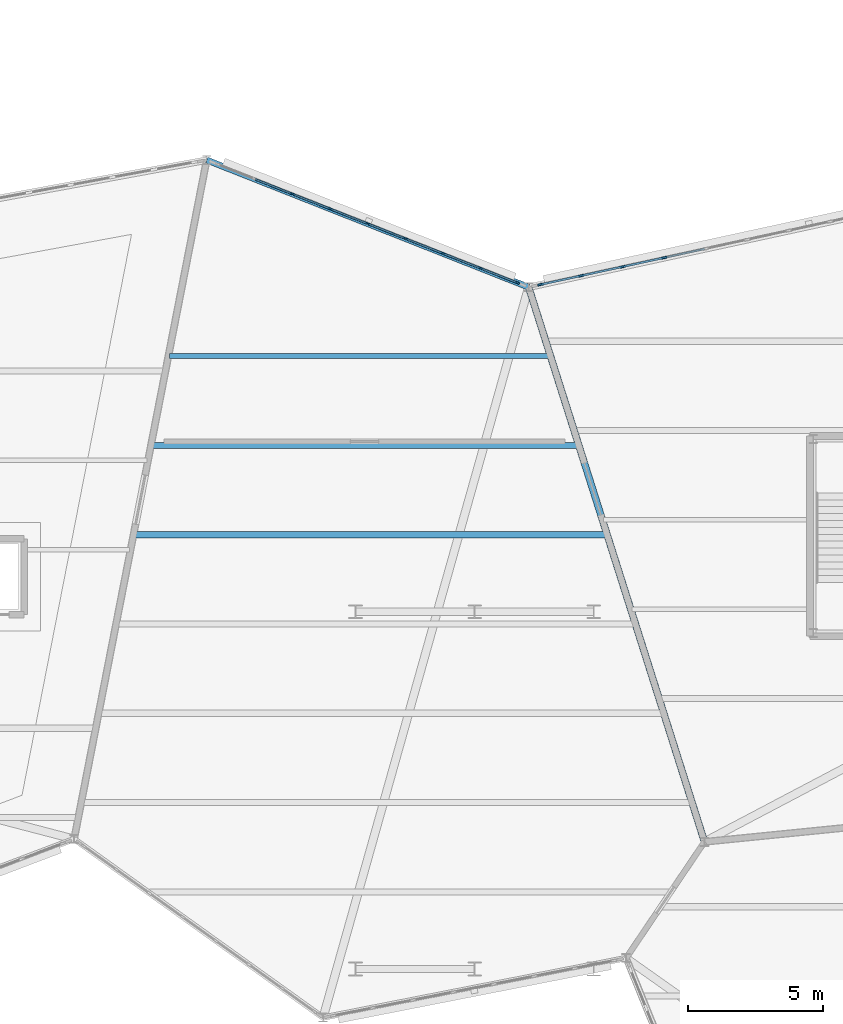
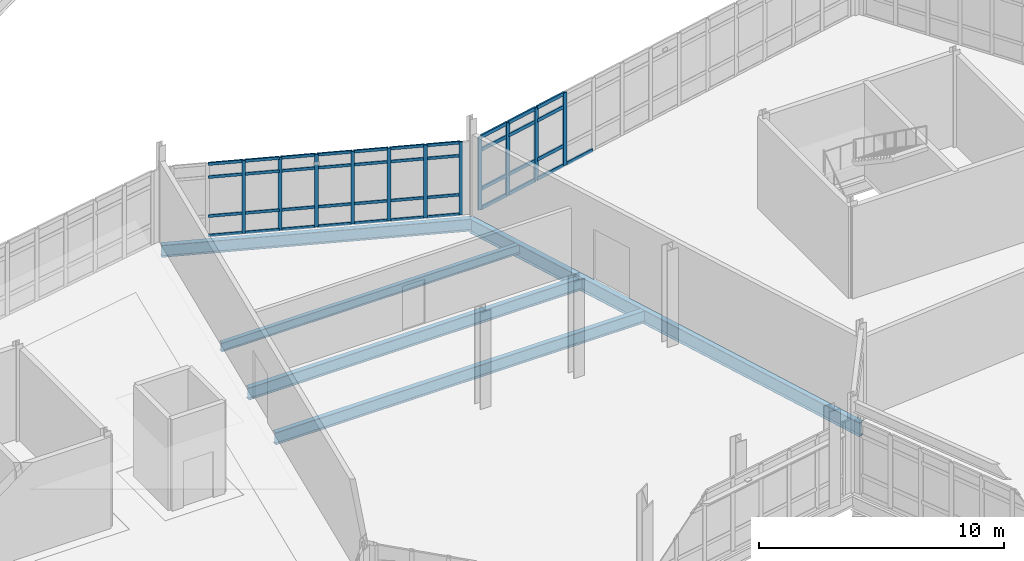
# One storey, part 72 of 134: 52 members, 5 beams, 2 elements without a shape of their own.
"""IFC4 building model written with IfcOpenShell, lengths in metres."""

from ifc_helpers import new_model, si_unit, direction, frame, origin, origin_2d, place, context, subcontext, project, spatial, rectangle, i_section, extrude, material, material_profile, profile_set, type_object, element, aggregate, save


model = new_model("IFC4")

# Units and contexts
model_context = context("Model", 3, precision=1e-05, world=origin(), true_north=direction((0.0, 1.0)))
body_context = subcontext(model_context, "Body", "Model", "MODEL_VIEW")
ifc_project = project(units=[si_unit("LENGTHUNIT", "METRE"), si_unit("AREAUNIT", "SQUARE_METRE"), si_unit("VOLUMEUNIT", "CUBIC_METRE"), si_unit("PLANEANGLEUNIT", "RADIAN"), si_unit("MASSUNIT", "GRAM", prefix="KILO")], contexts=[model_context])

# Site, building, storey
site_placement = place(None, origin())
site = spatial("IfcSite", under=ifc_project, at=site_placement, CompositionType="ELEMENT")
building_placement = place(site_placement, origin())
building = spatial("IfcBuilding", under=site, at=building_placement, Name="Tameran Prism Museum", CompositionType="ELEMENT")
storey_placement = place(building_placement, frame((0.0, 0.0, 5.39990234375)))
storey = spatial("IfcBuildingStorey", under=building, at=storey_placement, Name="L01", CompositionType="ELEMENT", Elevation=5.39990234375)

# Beams
ifc_material_1 = material(Name="Steel Grade 300PLUS (300 MPa)", Category="steel")
ifc_material_profile_1 = material_profile(ifc_material_1, i_section(OverallWidth=0.18994140625, OverallDepth=0.4541015625, WebThickness=0.008544921875, FlangeThickness=0.0126953125, FilletRadius=0.011474609375, at=origin_2d()))
ifc_profile_set_1 = profile_set([ifc_material_profile_1])
beam_type_1 = type_object("IfcBeamType", Name="BM-J460B", PredefinedType="JOIST", material=ifc_profile_set_1)
beam_1_placement = place(storey_placement, frame((124.22509765625, 40.14990234375, -0.427001953125), z_axis=(1.0, 0.0, 0.0), x_axis=(0.0, 1.0, 0.0)))
element("IfcBeam", 1, at=beam_1_placement, inside=storey, type_object=beam_type_1, Name="Floor Beam BM-0576", PredefinedType="JOIST", context=body_context, shape_type="SweptSolid", body=[
    extrude(i_section(OverallWidth=0.18994140625, OverallDepth=0.4541015625, WebThickness=0.008544921875, FlangeThickness=0.0126953125, FilletRadius=0.011474609375, at=origin_2d()), origin(), (0.0, 0.0, 1.0), 14.0419921875),
])
ifc_material_2 = material(Name="Steel Grade 300PLUS (300 MPa)", Category="steel")
ifc_material_profile_2 = material_profile(ifc_material_2, i_section(OverallWidth=0.22802734375, OverallDepth=0.60205078125, WebThickness=0.010498046875, FlangeThickness=0.014892578125, FilletRadius=0.013916015625, at=origin_2d()))
ifc_profile_set_2 = profile_set([ifc_material_profile_2])
beam_type_2 = type_object("IfcBeamType", Name="BM-SP610", PredefinedType="SPANDREL", material=ifc_profile_set_2)
beam_2_placement = place(storey_placement, frame((137.5, 42.699951171875, -0.5009765625), z_axis=(-0.93008523402, 0.36734378647, 0.0), x_axis=(-0.36734378647, -0.93008523402, 0.0)))
element("IfcBeam", 2, at=beam_2_placement, inside=storey, type_object=beam_type_2, Name="Perimeter Spandrel SP-0365", PredefinedType="SPANDREL", context=body_context, shape_type="SweptSolid", body=[
    extrude(i_section(OverallWidth=0.22802734375, OverallDepth=0.60205078125, WebThickness=0.010498046875, FlangeThickness=0.014892578125, FilletRadius=0.013916015625, at=origin_2d()), origin(), (0.0, 0.0, 1.0), 12.79443359375),
])
ifc_material_3 = material(Name="Steel Grade 350 (350 MPa)", Category="steel")
ifc_material_profile_3 = material_profile(ifc_material_3, i_section(OverallWidth=0.25, OverallDepth=0.699951171875, WebThickness=0.010009765625, FlangeThickness=0.02001953125, at=origin_2d()))
ifc_profile_set_3 = profile_set([ifc_material_profile_3])
beam_type_3 = type_object("IfcBeamType", Name="BM-SP700", PredefinedType="SPANDREL", material=ifc_profile_set_3)
beam_3_placement = place(storey_placement, frame((144.0, 22.199951171875, -0.5498046875), z_axis=(-0.302243860734, 0.953230637699, 0.0), x_axis=(-0.953230637699, -0.302243860734, 0.0)))
element("IfcBeam", 3, at=beam_3_placement, inside=storey, type_object=beam_type_3, Name="Perimeter Spandrel SP-0369", PredefinedType="SPANDREL", context=body_context, shape_type="SweptSolid", body=[
    extrude(i_section(OverallWidth=0.25, OverallDepth=0.699951171875, WebThickness=0.010009765625, FlangeThickness=0.02001953125, at=origin_2d()), origin(), (0.0, 0.0, 1.0), 21.505859375),
])
ifc_material_4 = material(Name="Steel Grade 300PLUS (300 MPa)", Category="steel")
ifc_material_profile_4 = material_profile(ifc_material_4, i_section(OverallWidth=0.22802734375, OverallDepth=0.60693359375, WebThickness=0.01123046875, FlangeThickness=0.017333984375, FilletRadius=0.013916015625, at=origin_2d()))
ifc_profile_set_4 = profile_set([ifc_material_profile_4])
beam_type_4 = type_object("IfcBeamType", Name="BM-UB610B", PredefinedType="BEAM", material=ifc_profile_set_4)
beam_4_placement = place(storey_placement, frame((122.93701171875, 33.550048828125, -0.50341796875), z_axis=(1.0, 0.0, 0.0), x_axis=(0.0, 1.0, 0.0)))
element("IfcBeam", 4, at=beam_4_placement, inside=storey, type_object=beam_type_4, Name="Floor Beam BM-0574", PredefinedType="BEAM", context=body_context, shape_type="SweptSolid", body=[
    extrude(i_section(OverallWidth=0.22802734375, OverallDepth=0.60693359375, WebThickness=0.01123046875, FlangeThickness=0.017333984375, FilletRadius=0.013916015625, at=origin_2d()), origin(), (0.0, 0.0, 1.0), 17.421875),
])
beam_5_placement = place(storey_placement, frame((123.5810546875, 36.85009765625, -0.50341796875), z_axis=(1.0, 0.0, 0.0), x_axis=(0.0, 1.0, 0.0)))
element("IfcBeam", 5, at=beam_5_placement, inside=storey, type_object=beam_type_4, Name="Floor Beam BM-0575", PredefinedType="BEAM", context=body_context, shape_type="SweptSolid", body=[
    extrude(i_section(OverallWidth=0.22802734375, OverallDepth=0.60693359375, WebThickness=0.01123046875, FlangeThickness=0.017333984375, FilletRadius=0.013916015625, at=origin_2d()), origin(), (0.0, 0.0, 1.0), 15.73193359375),
])

# Curtain wall, members
ifc_material_5 = material(Name="Anodised Aluminium 6063-T6 and Cyclone Solar Glass", Category="aluminium")
curtain_wall_type_1 = type_object("IfcCurtainWallType", Name="CW-FAC-1197x362", PredefinedType="USERDEFINED", material=ifc_material_5)
curtain_wall_1_placement = place(storey_placement, origin())
curtain_wall_1 = element("IfcCurtainWall", 6, at=curtain_wall_1_placement, inside=storey, type_object=curtain_wall_type_1, Name="Unitised Curtain Wall CW-075", ObjectType="UNITISED CURTAIN WALL", PredefinedType="USERDEFINED")
ifc_material_6 = material(Name="Anodised Aluminium Alloy 6063-T6", Category="aluminium")
ifc_material_profile_5 = material_profile(ifc_material_6, rectangle(XDim=0.06494140625, YDim=0.159912109375, at=origin_2d()))
ifc_profile_set_5 = profile_set([ifc_material_profile_5])
member_type_1 = type_object("IfcMemberType", Name="CW-MUL-A", PredefinedType="MULLION", material=ifc_profile_set_5)
member_1_placement = place(storey_placement, frame((128.766845703125, 46.1494140625, 0.0), z_axis=(0.0, 0.0, 1.0), x_axis=(0.367354802346, 0.930080883146, 0.0)))
member_1 = element("IfcMember", 7, at=member_1_placement, type_object=member_type_1, Name="CW-075 mullion 3", PredefinedType="MULLION", context=body_context, shape_type="SweptSolid", body=[
    extrude(rectangle(XDim=0.06494140625, YDim=0.159912109375, at=origin_2d()), origin(), (0.0, 0.0, 1.0), 3.6201171875),
])
member_2_placement = place(storey_placement, frame((130.15869140625, 45.599853515625, 0.0), z_axis=(0.0, 0.0, 1.0), x_axis=(0.367354802346, 0.930080883146, 0.0)))
member_2 = element("IfcMember", 8, at=member_2_placement, type_object=member_type_1, Name="CW-075 mullion 4", PredefinedType="MULLION", context=body_context, shape_type="SweptSolid", body=[
    extrude(rectangle(XDim=0.06494140625, YDim=0.159912109375, at=origin_2d()), origin(), (0.0, 0.0, 1.0), 3.6201171875),
])
member_3_placement = place(storey_placement, frame((131.550537109375, 45.050048828125, 0.0), z_axis=(0.0, 0.0, 1.0), x_axis=(0.367354802346, 0.930080883146, 0.0)))
member_3 = element("IfcMember", 9, at=member_3_placement, type_object=member_type_1, Name="CW-075 mullion 5", PredefinedType="MULLION", context=body_context, shape_type="SweptSolid", body=[
    extrude(rectangle(XDim=0.06494140625, YDim=0.159912109375, at=origin_2d()), origin(), (0.0, 0.0, 1.0), 3.6201171875),
])
member_4_placement = place(storey_placement, frame((132.9423828125, 44.500244140625, 0.0), z_axis=(0.0, 0.0, 1.0), x_axis=(0.367354802346, 0.930080883146, 0.0)))
member_4 = element("IfcMember", 10, at=member_4_placement, type_object=member_type_1, Name="CW-075 mullion 6", PredefinedType="MULLION", context=body_context, shape_type="SweptSolid", body=[
    extrude(rectangle(XDim=0.06494140625, YDim=0.159912109375, at=origin_2d()), origin(), (0.0, 0.0, 1.0), 3.6201171875),
])
member_5_placement = place(storey_placement, frame((134.334228515625, 43.950439453125, 0.0), z_axis=(0.0, 0.0, 1.0), x_axis=(0.367354802346, 0.930080883146, 0.0)))
member_5 = element("IfcMember", 11, at=member_5_placement, type_object=member_type_1, Name="CW-075 mullion 7", PredefinedType="MULLION", context=body_context, shape_type="SweptSolid", body=[
    extrude(rectangle(XDim=0.06494140625, YDim=0.159912109375, at=origin_2d()), origin(), (0.0, 0.0, 1.0), 3.6201171875),
])
member_6_placement = place(storey_placement, frame((135.72607421875, 43.400634765625, 0.0), z_axis=(0.0, 0.0, 1.0), x_axis=(0.367354802346, 0.930080883146, 0.0)))
member_6 = element("IfcMember", 12, at=member_6_placement, type_object=member_type_1, Name="CW-075 mullion 8", PredefinedType="MULLION", context=body_context, shape_type="SweptSolid", body=[
    extrude(rectangle(XDim=0.06494140625, YDim=0.159912109375, at=origin_2d()), origin(), (0.0, 0.0, 1.0), 3.6201171875),
])
member_7_placement = place(storey_placement, frame((137.087890625, 42.863037109375, 0.0), z_axis=(0.0, 0.0, 1.0), x_axis=(0.367354802346, 0.930080883146, 0.0)))
member_7 = element("IfcMember", 13, at=member_7_placement, type_object=member_type_1, Name="CW-075 mullion 9", PredefinedType="MULLION", context=body_context, shape_type="SweptSolid", body=[
    extrude(rectangle(XDim=0.06494140625, YDim=0.159912109375, at=origin_2d()), origin(), (0.0, 0.0, 1.0), 3.6201171875),
])

ifc_material_7 = material(Name="Anodised Aluminium 6063-T6 and Cyclone Solar Glass", Category="aluminium")
curtain_wall_type_2 = type_object("IfcCurtainWallType", Name="CW-FAC-2042x362", PredefinedType="USERDEFINED", material=ifc_material_7)
curtain_wall_2_placement = place(storey_placement, origin())
curtain_wall_2 = element("IfcCurtainWall", 14, at=curtain_wall_2_placement, inside=storey, type_object=curtain_wall_type_2, Name="Unitised Curtain Wall CW-097", ObjectType="UNITISED CURTAIN WALL", PredefinedType="USERDEFINED")
ifc_material_8 = material(Name="Anodised Aluminium Alloy 6063-T6", Category="aluminium")
ifc_material_profile_6 = material_profile(ifc_material_8, rectangle(XDim=0.074951171875, YDim=0.199951171875, at=origin_2d()))
ifc_profile_set_6 = profile_set([ifc_material_profile_6])
member_type_2 = type_object("IfcMemberType", Name="CW-MUL-C", PredefinedType="MULLION", material=ifc_profile_set_6)
member_8_placement = place(storey_placement, frame((137.937744140625, 42.794921875, 0.0), z_axis=(0.0, 0.0, 1.0), x_axis=(-0.212454037801, 0.977171060676, 0.0)))
member_8 = element("IfcMember", 15, at=member_8_placement, type_object=member_type_2, Name="CW-097 mullion 1", PredefinedType="MULLION", context=body_context, shape_type="SweptSolid", body=[
    extrude(rectangle(XDim=0.074951171875, YDim=0.199951171875, at=origin_2d()), origin(), (0.0, 0.0, 1.0), 3.6201171875),
])
member_9_placement = place(storey_placement, frame((139.43603515625, 43.120849609375, 0.0), z_axis=(0.0, 0.0, 1.0), x_axis=(-0.212454037801, 0.977171060676, 0.0)))
member_9 = element("IfcMember", 16, at=member_9_placement, type_object=member_type_2, Name="CW-097 mullion 2", PredefinedType="MULLION", context=body_context, shape_type="SweptSolid", body=[
    extrude(rectangle(XDim=0.074951171875, YDim=0.199951171875, at=origin_2d()), origin(), (0.0, 0.0, 1.0), 3.6201171875),
])
member_10_placement = place(storey_placement, frame((140.97119140625, 43.45458984375, 0.0), z_axis=(0.0, 0.0, 1.0), x_axis=(-0.212454037801, 0.977171060676, 0.0)))
member_10 = element("IfcMember", 17, at=member_10_placement, type_object=member_type_2, Name="CW-097 mullion 3", PredefinedType="MULLION", context=body_context, shape_type="SweptSolid", body=[
    extrude(rectangle(XDim=0.074951171875, YDim=0.199951171875, at=origin_2d()), origin(), (0.0, 0.0, 1.0), 3.6201171875),
])
member_11_placement = place(storey_placement, frame((142.50634765625, 43.788330078125, 0.0), z_axis=(0.0, 0.0, 1.0), x_axis=(-0.212454037801, 0.977171060676, 0.0)))
member_11 = element("IfcMember", 18, at=member_11_placement, type_object=member_type_2, Name="CW-097 mullion 4", PredefinedType="MULLION", context=body_context, shape_type="SweptSolid", body=[
    extrude(rectangle(XDim=0.074951171875, YDim=0.199951171875, at=origin_2d()), origin(), (0.0, 0.0, 1.0), 3.6201171875),
])

# Member
ifc_material_9 = material(Name="Anodised Aluminium Alloy 6063-T6", Category="aluminium")
ifc_material_profile_7 = material_profile(ifc_material_9, rectangle(XDim=0.06494140625, YDim=0.139892578125, at=origin_2d()))
ifc_profile_set_7 = profile_set([ifc_material_profile_7])
member_type_3 = type_object("IfcMemberType", Name="CW-TRN-A", PredefinedType="USERDEFINED", material=ifc_profile_set_7)
member_12_placement = place(storey_placement, frame((127.405029296875, 46.687255859375, 0.03271484375), z_axis=(0.930090835415, -0.367329603866, 0.0), x_axis=(0.367329603866, 0.930090835415, 0.0)))
member_12 = element("IfcMember", 19, at=member_12_placement, type_object=member_type_3, Name="CW-075 transom 2.1", ObjectType="TRANSOM", PredefinedType="USERDEFINED", context=body_context, shape_type="SweptSolid", body=[
    extrude(rectangle(XDim=0.06494140625, YDim=0.139892578125, at=origin_2d()), origin(), (0.0, 0.0, 1.0), 1.431640625),
])

member_13_placement = place(storey_placement, frame((127.405029296875, 46.687255859375, 1.0), z_axis=(0.930090835415, -0.367329603866, 0.0), x_axis=(0.367329603866, 0.930090835415, 0.0)))
member_13 = element("IfcMember", 20, at=member_13_placement, type_object=member_type_3, Name="CW-075 transom 2.2", ObjectType="TRANSOM", PredefinedType="USERDEFINED", context=body_context, shape_type="SweptSolid", body=[
    extrude(rectangle(XDim=0.06494140625, YDim=0.139892578125, at=origin_2d()), origin(), (0.0, 0.0, 1.0), 1.431640625),
])

member_14_placement = place(storey_placement, frame((127.405029296875, 46.687255859375, 2.940185546875), z_axis=(0.930090835415, -0.367329603866, 0.0), x_axis=(0.367329603866, 0.930090835415, 0.0)))
member_14 = element("IfcMember", 21, at=member_14_placement, type_object=member_type_3, Name="CW-075 transom 2.3", ObjectType="TRANSOM", PredefinedType="USERDEFINED", context=body_context, shape_type="SweptSolid", body=[
    extrude(rectangle(XDim=0.06494140625, YDim=0.139892578125, at=origin_2d()), origin(), (0.0, 0.0, 1.0), 1.431640625),
])

member_15_placement = place(storey_placement, frame((127.405029296875, 46.687255859375, 3.587646484375), z_axis=(0.930090835415, -0.367329603866, 0.0), x_axis=(0.367329603866, 0.930090835415, 0.0)))
member_15 = element("IfcMember", 22, at=member_15_placement, type_object=member_type_3, Name="CW-075 transom 2.4", ObjectType="TRANSOM", PredefinedType="USERDEFINED", context=body_context, shape_type="SweptSolid", body=[
    extrude(rectangle(XDim=0.06494140625, YDim=0.139892578125, at=origin_2d()), origin(), (0.0, 0.0, 1.0), 1.431640625),
])

member_16_placement = place(storey_placement, frame((128.796875, 46.137451171875, 0.03271484375), z_axis=(0.930090835415, -0.367329603866, 0.0), x_axis=(0.367329603866, 0.930090835415, 0.0)))
member_16 = element("IfcMember", 23, at=member_16_placement, type_object=member_type_3, Name="CW-075 transom 3.1", ObjectType="TRANSOM", PredefinedType="USERDEFINED", context=body_context, shape_type="SweptSolid", body=[
    extrude(rectangle(XDim=0.06494140625, YDim=0.139892578125, at=origin_2d()), origin(), (0.0, 0.0, 1.0), 1.431640625),
])

member_17_placement = place(storey_placement, frame((128.796875, 46.137451171875, 1.0), z_axis=(0.930090835415, -0.367329603866, 0.0), x_axis=(0.367329603866, 0.930090835415, 0.0)))
member_17 = element("IfcMember", 24, at=member_17_placement, type_object=member_type_3, Name="CW-075 transom 3.2", ObjectType="TRANSOM", PredefinedType="USERDEFINED", context=body_context, shape_type="SweptSolid", body=[
    extrude(rectangle(XDim=0.06494140625, YDim=0.139892578125, at=origin_2d()), origin(), (0.0, 0.0, 1.0), 1.431640625),
])

member_18_placement = place(storey_placement, frame((128.796875, 46.137451171875, 2.940185546875), z_axis=(0.930090835415, -0.367329603866, 0.0), x_axis=(0.367329603866, 0.930090835415, 0.0)))
member_18 = element("IfcMember", 25, at=member_18_placement, type_object=member_type_3, Name="CW-075 transom 3.3", ObjectType="TRANSOM", PredefinedType="USERDEFINED", context=body_context, shape_type="SweptSolid", body=[
    extrude(rectangle(XDim=0.06494140625, YDim=0.139892578125, at=origin_2d()), origin(), (0.0, 0.0, 1.0), 1.431640625),
])

member_19_placement = place(storey_placement, frame((128.796875, 46.137451171875, 3.587646484375), z_axis=(0.930090835415, -0.367329603866, 0.0), x_axis=(0.367329603866, 0.930090835415, 0.0)))
member_19 = element("IfcMember", 26, at=member_19_placement, type_object=member_type_3, Name="CW-075 transom 3.4", ObjectType="TRANSOM", PredefinedType="USERDEFINED", context=body_context, shape_type="SweptSolid", body=[
    extrude(rectangle(XDim=0.06494140625, YDim=0.139892578125, at=origin_2d()), origin(), (0.0, 0.0, 1.0), 1.431640625),
])

member_20_placement = place(storey_placement, frame((130.18896484375, 45.587890625, 0.03271484375), z_axis=(0.93006781965, -0.367387875211, 0.0), x_axis=(0.367387875211, 0.93006781965, 0.0)))
member_20 = element("IfcMember", 27, at=member_20_placement, type_object=member_type_3, Name="CW-075 transom 4.1", ObjectType="TRANSOM", PredefinedType="USERDEFINED", context=body_context, shape_type="SweptSolid", body=[
    extrude(rectangle(XDim=0.06494140625, YDim=0.139892578125, at=origin_2d()), origin(), (0.0, 0.0, 1.0), 1.431396484375),
])

member_21_placement = place(storey_placement, frame((130.18896484375, 45.587890625, 1.0), z_axis=(0.93006781965, -0.367387875211, 0.0), x_axis=(0.367387875211, 0.93006781965, 0.0)))
member_21 = element("IfcMember", 28, at=member_21_placement, type_object=member_type_3, Name="CW-075 transom 4.2", ObjectType="TRANSOM", PredefinedType="USERDEFINED", context=body_context, shape_type="SweptSolid", body=[
    extrude(rectangle(XDim=0.06494140625, YDim=0.139892578125, at=origin_2d()), origin(), (0.0, 0.0, 1.0), 1.431396484375),
])

member_22_placement = place(storey_placement, frame((130.18896484375, 45.587890625, 2.940185546875), z_axis=(0.93006781965, -0.367387875211, 0.0), x_axis=(0.367387875211, 0.93006781965, 0.0)))
member_22 = element("IfcMember", 29, at=member_22_placement, type_object=member_type_3, Name="CW-075 transom 4.3", ObjectType="TRANSOM", PredefinedType="USERDEFINED", context=body_context, shape_type="SweptSolid", body=[
    extrude(rectangle(XDim=0.06494140625, YDim=0.139892578125, at=origin_2d()), origin(), (0.0, 0.0, 1.0), 1.431396484375),
])

member_23_placement = place(storey_placement, frame((130.18896484375, 45.587890625, 3.587646484375), z_axis=(0.93006781965, -0.367387875211, 0.0), x_axis=(0.367387875211, 0.93006781965, 0.0)))
member_23 = element("IfcMember", 30, at=member_23_placement, type_object=member_type_3, Name="CW-075 transom 4.4", ObjectType="TRANSOM", PredefinedType="USERDEFINED", context=body_context, shape_type="SweptSolid", body=[
    extrude(rectangle(XDim=0.06494140625, YDim=0.139892578125, at=origin_2d()), origin(), (0.0, 0.0, 1.0), 1.431396484375),
])

member_24_placement = place(storey_placement, frame((131.580810546875, 45.0380859375, 0.03271484375), z_axis=(0.93006781965, -0.367387875211, 0.0), x_axis=(0.367387875211, 0.93006781965, 0.0)))
member_24 = element("IfcMember", 31, at=member_24_placement, type_object=member_type_3, Name="CW-075 transom 5.1", ObjectType="TRANSOM", PredefinedType="USERDEFINED", context=body_context, shape_type="SweptSolid", body=[
    extrude(rectangle(XDim=0.06494140625, YDim=0.139892578125, at=origin_2d()), origin(), (0.0, 0.0, 1.0), 1.431396484375),
])

member_25_placement = place(storey_placement, frame((131.580810546875, 45.0380859375, 1.0), z_axis=(0.93006781965, -0.367387875211, 0.0), x_axis=(0.367387875211, 0.93006781965, 0.0)))
member_25 = element("IfcMember", 32, at=member_25_placement, type_object=member_type_3, Name="CW-075 transom 5.2", ObjectType="TRANSOM", PredefinedType="USERDEFINED", context=body_context, shape_type="SweptSolid", body=[
    extrude(rectangle(XDim=0.06494140625, YDim=0.139892578125, at=origin_2d()), origin(), (0.0, 0.0, 1.0), 1.431396484375),
])

member_26_placement = place(storey_placement, frame((131.580810546875, 45.0380859375, 2.940185546875), z_axis=(0.93006781965, -0.367387875211, 0.0), x_axis=(0.367387875211, 0.93006781965, 0.0)))
member_26 = element("IfcMember", 33, at=member_26_placement, type_object=member_type_3, Name="CW-075 transom 5.3", ObjectType="TRANSOM", PredefinedType="USERDEFINED", context=body_context, shape_type="SweptSolid", body=[
    extrude(rectangle(XDim=0.06494140625, YDim=0.139892578125, at=origin_2d()), origin(), (0.0, 0.0, 1.0), 1.431396484375),
])

member_27_placement = place(storey_placement, frame((131.580810546875, 45.0380859375, 3.587646484375), z_axis=(0.93006781965, -0.367387875211, 0.0), x_axis=(0.367387875211, 0.93006781965, 0.0)))
member_27 = element("IfcMember", 34, at=member_27_placement, type_object=member_type_3, Name="CW-075 transom 5.4", ObjectType="TRANSOM", PredefinedType="USERDEFINED", context=body_context, shape_type="SweptSolid", body=[
    extrude(rectangle(XDim=0.06494140625, YDim=0.139892578125, at=origin_2d()), origin(), (0.0, 0.0, 1.0), 1.431396484375),
])

member_28_placement = place(storey_placement, frame((132.97265625, 44.48828125, 0.03271484375), z_axis=(0.93006781965, -0.367387875211, 0.0), x_axis=(0.367387875211, 0.93006781965, 0.0)))
member_28 = element("IfcMember", 35, at=member_28_placement, type_object=member_type_3, Name="CW-075 transom 6.1", ObjectType="TRANSOM", PredefinedType="USERDEFINED", context=body_context, shape_type="SweptSolid", body=[
    extrude(rectangle(XDim=0.06494140625, YDim=0.139892578125, at=origin_2d()), origin(), (0.0, 0.0, 1.0), 1.431396484375),
])

member_29_placement = place(storey_placement, frame((132.97265625, 44.48828125, 1.0), z_axis=(0.93006781965, -0.367387875211, 0.0), x_axis=(0.367387875211, 0.93006781965, 0.0)))
member_29 = element("IfcMember", 36, at=member_29_placement, type_object=member_type_3, Name="CW-075 transom 6.2", ObjectType="TRANSOM", PredefinedType="USERDEFINED", context=body_context, shape_type="SweptSolid", body=[
    extrude(rectangle(XDim=0.06494140625, YDim=0.139892578125, at=origin_2d()), origin(), (0.0, 0.0, 1.0), 1.431396484375),
])

member_30_placement = place(storey_placement, frame((132.97265625, 44.48828125, 2.940185546875), z_axis=(0.93006781965, -0.367387875211, 0.0), x_axis=(0.367387875211, 0.93006781965, 0.0)))
member_30 = element("IfcMember", 37, at=member_30_placement, type_object=member_type_3, Name="CW-075 transom 6.3", ObjectType="TRANSOM", PredefinedType="USERDEFINED", context=body_context, shape_type="SweptSolid", body=[
    extrude(rectangle(XDim=0.06494140625, YDim=0.139892578125, at=origin_2d()), origin(), (0.0, 0.0, 1.0), 1.431396484375),
])

member_31_placement = place(storey_placement, frame((132.97265625, 44.48828125, 3.587646484375), z_axis=(0.93006781965, -0.367387875211, 0.0), x_axis=(0.367387875211, 0.93006781965, 0.0)))
member_31 = element("IfcMember", 38, at=member_31_placement, type_object=member_type_3, Name="CW-075 transom 6.4", ObjectType="TRANSOM", PredefinedType="USERDEFINED", context=body_context, shape_type="SweptSolid", body=[
    extrude(rectangle(XDim=0.06494140625, YDim=0.139892578125, at=origin_2d()), origin(), (0.0, 0.0, 1.0), 1.431396484375),
])

member_32_placement = place(storey_placement, frame((134.364501953125, 43.9384765625, 0.03271484375), z_axis=(0.93006781965, -0.367387875211, 0.0), x_axis=(0.367387875211, 0.93006781965, 0.0)))
member_32 = element("IfcMember", 39, at=member_32_placement, type_object=member_type_3, Name="CW-075 transom 7.1", ObjectType="TRANSOM", PredefinedType="USERDEFINED", context=body_context, shape_type="SweptSolid", body=[
    extrude(rectangle(XDim=0.06494140625, YDim=0.139892578125, at=origin_2d()), origin(), (0.0, 0.0, 1.0), 1.431396484375),
])

member_33_placement = place(storey_placement, frame((134.364501953125, 43.9384765625, 1.0), z_axis=(0.93006781965, -0.367387875211, 0.0), x_axis=(0.367387875211, 0.93006781965, 0.0)))
member_33 = element("IfcMember", 40, at=member_33_placement, type_object=member_type_3, Name="CW-075 transom 7.2", ObjectType="TRANSOM", PredefinedType="USERDEFINED", context=body_context, shape_type="SweptSolid", body=[
    extrude(rectangle(XDim=0.06494140625, YDim=0.139892578125, at=origin_2d()), origin(), (0.0, 0.0, 1.0), 1.431396484375),
])

member_34_placement = place(storey_placement, frame((134.364501953125, 43.9384765625, 2.940185546875), z_axis=(0.93006781965, -0.367387875211, 0.0), x_axis=(0.367387875211, 0.93006781965, 0.0)))
member_34 = element("IfcMember", 41, at=member_34_placement, type_object=member_type_3, Name="CW-075 transom 7.3", ObjectType="TRANSOM", PredefinedType="USERDEFINED", context=body_context, shape_type="SweptSolid", body=[
    extrude(rectangle(XDim=0.06494140625, YDim=0.139892578125, at=origin_2d()), origin(), (0.0, 0.0, 1.0), 1.431396484375),
])

member_35_placement = place(storey_placement, frame((134.364501953125, 43.9384765625, 3.587646484375), z_axis=(0.93006781965, -0.367387875211, 0.0), x_axis=(0.367387875211, 0.93006781965, 0.0)))
member_35 = element("IfcMember", 42, at=member_35_placement, type_object=member_type_3, Name="CW-075 transom 7.4", ObjectType="TRANSOM", PredefinedType="USERDEFINED", context=body_context, shape_type="SweptSolid", body=[
    extrude(rectangle(XDim=0.06494140625, YDim=0.139892578125, at=origin_2d()), origin(), (0.0, 0.0, 1.0), 1.431396484375),
])

member_36_placement = place(storey_placement, frame((135.75634765625, 43.388916015625, 0.03271484375), z_axis=(0.930092475076, -0.367325452164, 0.0), x_axis=(0.367325452164, 0.930092475076, 0.0)))
member_36 = element("IfcMember", 43, at=member_36_placement, type_object=member_type_3, Name="CW-075 transom 8.1", ObjectType="TRANSOM", PredefinedType="USERDEFINED", context=body_context, shape_type="SweptSolid", body=[
    extrude(rectangle(XDim=0.06494140625, YDim=0.139892578125, at=origin_2d()), origin(), (0.0, 0.0, 1.0), 1.399169921875),
])

member_37_placement = place(storey_placement, frame((135.75634765625, 43.388916015625, 1.0), z_axis=(0.930092475076, -0.367325452164, 0.0), x_axis=(0.367325452164, 0.930092475076, 0.0)))
member_37 = element("IfcMember", 44, at=member_37_placement, type_object=member_type_3, Name="CW-075 transom 8.2", ObjectType="TRANSOM", PredefinedType="USERDEFINED", context=body_context, shape_type="SweptSolid", body=[
    extrude(rectangle(XDim=0.06494140625, YDim=0.139892578125, at=origin_2d()), origin(), (0.0, 0.0, 1.0), 1.399169921875),
])

member_38_placement = place(storey_placement, frame((135.75634765625, 43.388916015625, 2.940185546875), z_axis=(0.930092475076, -0.367325452164, 0.0), x_axis=(0.367325452164, 0.930092475076, 0.0)))
member_38 = element("IfcMember", 45, at=member_38_placement, type_object=member_type_3, Name="CW-075 transom 8.3", ObjectType="TRANSOM", PredefinedType="USERDEFINED", context=body_context, shape_type="SweptSolid", body=[
    extrude(rectangle(XDim=0.06494140625, YDim=0.139892578125, at=origin_2d()), origin(), (0.0, 0.0, 1.0), 1.399169921875),
])

member_39_placement = place(storey_placement, frame((135.75634765625, 43.388916015625, 3.587646484375), z_axis=(0.930092475076, -0.367325452164, 0.0), x_axis=(0.367325452164, 0.930092475076, 0.0)))
member_39 = element("IfcMember", 46, at=member_39_placement, type_object=member_type_3, Name="CW-075 transom 8.4", ObjectType="TRANSOM", PredefinedType="USERDEFINED", context=body_context, shape_type="SweptSolid", body=[
    extrude(rectangle(XDim=0.06494140625, YDim=0.139892578125, at=origin_2d()), origin(), (0.0, 0.0, 1.0), 1.399169921875),
])

aggregate(curtain_wall_1, [member_1, member_2, member_3, member_4, member_5, member_6, member_7, member_12, member_13, member_14, member_15, member_16, member_17, member_18, member_19, member_20, member_21, member_22, member_23, member_24, member_25, member_26, member_27, member_28, member_29, member_30, member_31, member_32, member_33, member_34, member_35, member_36, member_37, member_38, member_39])

ifc_material_10 = material(Name="Anodised Aluminium Alloy 6063-T6", Category="aluminium")
ifc_material_profile_8 = material_profile(ifc_material_10, rectangle(XDim=0.074951171875, YDim=0.175048828125, at=origin_2d()))
ifc_profile_set_8 = profile_set([ifc_material_profile_8])
member_type_4 = type_object("IfcMemberType", Name="CW-TRN-C", PredefinedType="USERDEFINED", material=ifc_profile_set_8)
member_40_placement = place(storey_placement, frame((137.974365234375, 42.802978515625, 0.03759765625), z_axis=(0.977173341979, 0.212443544796, 0.0), x_axis=(-0.212443544796, 0.977173341979, 0.0)))
member_40 = element("IfcMember", 47, at=member_40_placement, type_object=member_type_4, Name="CW-097 transom 1.1", ObjectType="TRANSOM", PredefinedType="USERDEFINED", context=body_context, shape_type="SweptSolid", body=[
    extrude(rectangle(XDim=0.074951171875, YDim=0.175048828125, at=origin_2d()), origin(), (0.0, 0.0, 1.0), 1.458251953125),
])

member_41_placement = place(storey_placement, frame((137.974365234375, 42.802978515625, 1.0), z_axis=(0.977173341979, 0.212443544796, 0.0), x_axis=(-0.212443544796, 0.977173341979, 0.0)))
member_41 = element("IfcMember", 48, at=member_41_placement, type_object=member_type_4, Name="CW-097 transom 1.2", ObjectType="TRANSOM", PredefinedType="USERDEFINED", context=body_context, shape_type="SweptSolid", body=[
    extrude(rectangle(XDim=0.074951171875, YDim=0.175048828125, at=origin_2d()), origin(), (0.0, 0.0, 1.0), 1.458251953125),
])

member_42_placement = place(storey_placement, frame((137.974365234375, 42.802978515625, 2.940185546875), z_axis=(0.977173341979, 0.212443544796, 0.0), x_axis=(-0.212443544796, 0.977173341979, 0.0)))
member_42 = element("IfcMember", 49, at=member_42_placement, type_object=member_type_4, Name="CW-097 transom 1.3", ObjectType="TRANSOM", PredefinedType="USERDEFINED", context=body_context, shape_type="SweptSolid", body=[
    extrude(rectangle(XDim=0.074951171875, YDim=0.175048828125, at=origin_2d()), origin(), (0.0, 0.0, 1.0), 1.458251953125),
])

member_43_placement = place(storey_placement, frame((137.974365234375, 42.802978515625, 3.58251953125), z_axis=(0.977173341979, 0.212443544796, 0.0), x_axis=(-0.212443544796, 0.977173341979, 0.0)))
member_43 = element("IfcMember", 50, at=member_43_placement, type_object=member_type_4, Name="CW-097 transom 1.4", ObjectType="TRANSOM", PredefinedType="USERDEFINED", context=body_context, shape_type="SweptSolid", body=[
    extrude(rectangle(XDim=0.074951171875, YDim=0.175048828125, at=origin_2d()), origin(), (0.0, 0.0, 1.0), 1.458251953125),
])

member_44_placement = place(storey_placement, frame((139.472900390625, 43.128662109375, 0.03759765625), z_axis=(0.977160157558, 0.212504179913, 0.0), x_axis=(-0.212504179913, 0.977160157558, 0.0)))
member_44 = element("IfcMember", 51, at=member_44_placement, type_object=member_type_4, Name="CW-097 transom 2.1", ObjectType="TRANSOM", PredefinedType="USERDEFINED", context=body_context, shape_type="SweptSolid", body=[
    extrude(rectangle(XDim=0.074951171875, YDim=0.175048828125, at=origin_2d()), origin(), (0.0, 0.0, 1.0), 1.495849609375),
])

member_45_placement = place(storey_placement, frame((139.472900390625, 43.128662109375, 1.0), z_axis=(0.977160157558, 0.212504179913, 0.0), x_axis=(-0.212504179913, 0.977160157558, 0.0)))
member_45 = element("IfcMember", 52, at=member_45_placement, type_object=member_type_4, Name="CW-097 transom 2.2", ObjectType="TRANSOM", PredefinedType="USERDEFINED", context=body_context, shape_type="SweptSolid", body=[
    extrude(rectangle(XDim=0.074951171875, YDim=0.175048828125, at=origin_2d()), origin(), (0.0, 0.0, 1.0), 1.495849609375),
])

member_46_placement = place(storey_placement, frame((139.472900390625, 43.128662109375, 2.940185546875), z_axis=(0.977160157558, 0.212504179913, 0.0), x_axis=(-0.212504179913, 0.977160157558, 0.0)))
member_46 = element("IfcMember", 53, at=member_46_placement, type_object=member_type_4, Name="CW-097 transom 2.3", ObjectType="TRANSOM", PredefinedType="USERDEFINED", context=body_context, shape_type="SweptSolid", body=[
    extrude(rectangle(XDim=0.074951171875, YDim=0.175048828125, at=origin_2d()), origin(), (0.0, 0.0, 1.0), 1.495849609375),
])

member_47_placement = place(storey_placement, frame((139.472900390625, 43.128662109375, 3.58251953125), z_axis=(0.977160157558, 0.212504179913, 0.0), x_axis=(-0.212504179913, 0.977160157558, 0.0)))
member_47 = element("IfcMember", 54, at=member_47_placement, type_object=member_type_4, Name="CW-097 transom 2.4", ObjectType="TRANSOM", PredefinedType="USERDEFINED", context=body_context, shape_type="SweptSolid", body=[
    extrude(rectangle(XDim=0.074951171875, YDim=0.175048828125, at=origin_2d()), origin(), (0.0, 0.0, 1.0), 1.495849609375),
])

member_48_placement = place(storey_placement, frame((141.008056640625, 43.46240234375, 0.03759765625), z_axis=(0.977160157558, 0.212504179913, 0.0), x_axis=(-0.212504179913, 0.977160157558, 0.0)))
member_48 = element("IfcMember", 55, at=member_48_placement, type_object=member_type_4, Name="CW-097 transom 3.1", ObjectType="TRANSOM", PredefinedType="USERDEFINED", context=body_context, shape_type="SweptSolid", body=[
    extrude(rectangle(XDim=0.074951171875, YDim=0.175048828125, at=origin_2d()), origin(), (0.0, 0.0, 1.0), 1.495849609375),
])

member_49_placement = place(storey_placement, frame((141.008056640625, 43.46240234375, 1.0), z_axis=(0.977160157558, 0.212504179913, 0.0), x_axis=(-0.212504179913, 0.977160157558, 0.0)))
member_49 = element("IfcMember", 56, at=member_49_placement, type_object=member_type_4, Name="CW-097 transom 3.2", ObjectType="TRANSOM", PredefinedType="USERDEFINED", context=body_context, shape_type="SweptSolid", body=[
    extrude(rectangle(XDim=0.074951171875, YDim=0.175048828125, at=origin_2d()), origin(), (0.0, 0.0, 1.0), 1.495849609375),
])

member_50_placement = place(storey_placement, frame((141.008056640625, 43.46240234375, 2.940185546875), z_axis=(0.977160157558, 0.212504179913, 0.0), x_axis=(-0.212504179913, 0.977160157558, 0.0)))
member_50 = element("IfcMember", 57, at=member_50_placement, type_object=member_type_4, Name="CW-097 transom 3.3", ObjectType="TRANSOM", PredefinedType="USERDEFINED", context=body_context, shape_type="SweptSolid", body=[
    extrude(rectangle(XDim=0.074951171875, YDim=0.175048828125, at=origin_2d()), origin(), (0.0, 0.0, 1.0), 1.495849609375),
])

member_51_placement = place(storey_placement, frame((141.008056640625, 43.46240234375, 3.58251953125), z_axis=(0.977160157558, 0.212504179913, 0.0), x_axis=(-0.212504179913, 0.977160157558, 0.0)))
member_51 = element("IfcMember", 58, at=member_51_placement, type_object=member_type_4, Name="CW-097 transom 3.4", ObjectType="TRANSOM", PredefinedType="USERDEFINED", context=body_context, shape_type="SweptSolid", body=[
    extrude(rectangle(XDim=0.074951171875, YDim=0.175048828125, at=origin_2d()), origin(), (0.0, 0.0, 1.0), 1.495849609375),
])

member_52_placement = place(storey_placement, frame((142.543212890625, 43.79638671875, 0.03759765625), z_axis=(0.977194037722, 0.212348328558, 0.0), x_axis=(-0.212348328558, 0.977194037722, 0.0)))
member_52 = element("IfcMember", 59, at=member_52_placement, type_object=member_type_4, Name="CW-097 transom 4.1", ObjectType="TRANSOM", PredefinedType="USERDEFINED", context=body_context, shape_type="SweptSolid", body=[
    extrude(rectangle(XDim=0.074951171875, YDim=0.175048828125, at=origin_2d()), origin(), (0.0, 0.0, 1.0), 1.495849609375),
])

aggregate(curtain_wall_2, [member_8, member_9, member_10, member_11, member_40, member_41, member_42, member_43, member_44, member_45, member_46, member_47, member_48, member_49, member_50, member_51, member_52])

save(model, "model.ifc")
